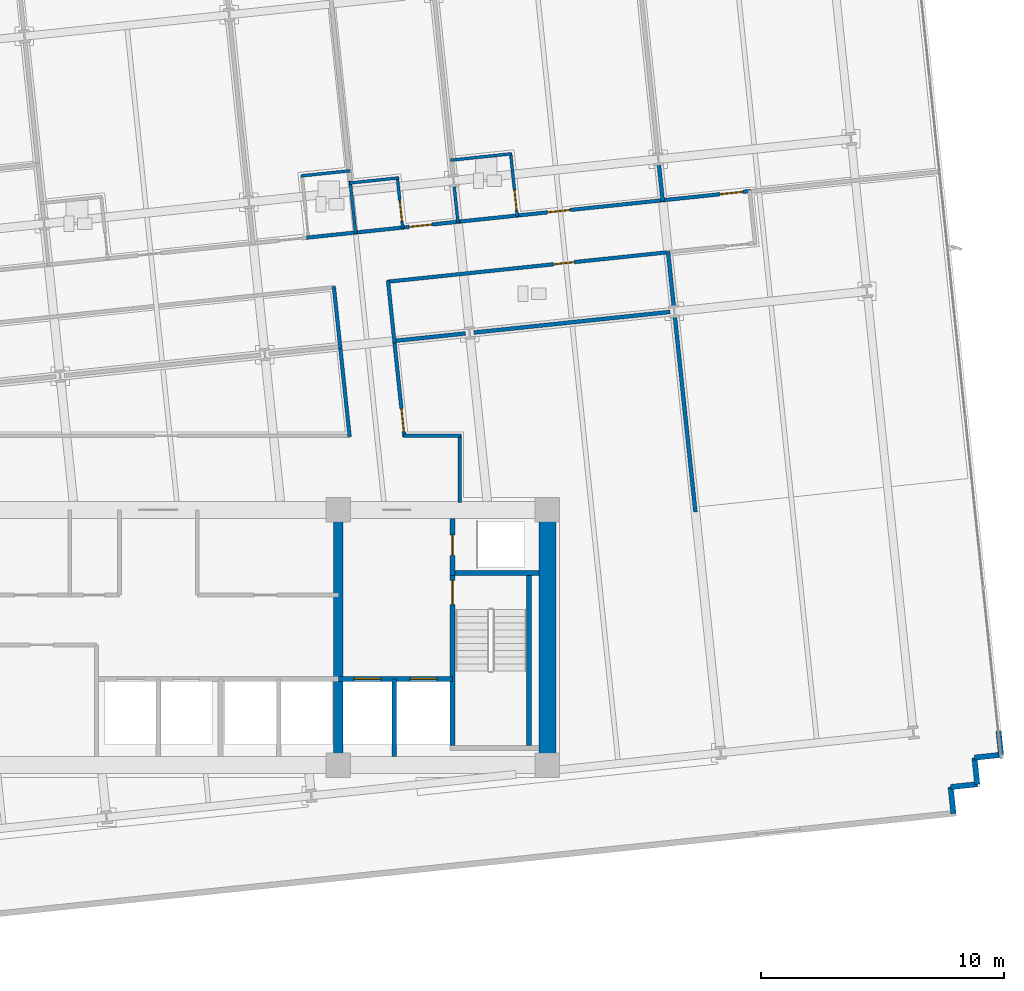
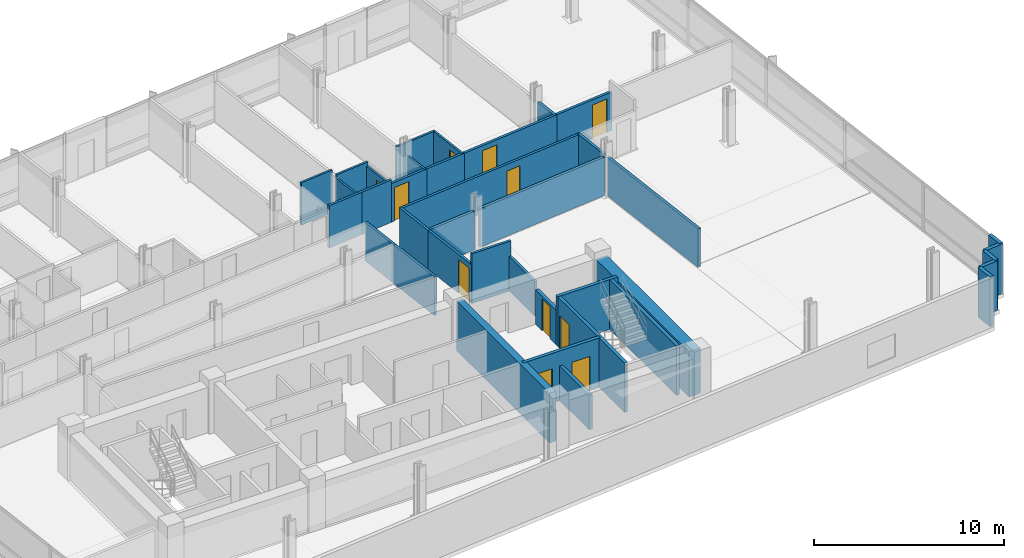
# One storey, part 12 of 17: 38 walls, 11 doors, 11 openings.
"""IFC4 building model written with IfcOpenShell, lengths in metres."""

from ifc_helpers import new_model, si_unit, direction, frame, frame_2d, origin, place, context, subcontext, project, spatial, rectangle, extrude, material, layer, layer_set, type_object, element, fill, save


model = new_model("IFC4")

# Units and contexts
model_context = context("Model", 3, precision=1e-05, world=origin(), true_north=direction((0.0, 1.0)))
body_context = subcontext(model_context, "Body", "Model", "MODEL_VIEW")
ifc_project = project(units=[si_unit("LENGTHUNIT", "METRE"), si_unit("AREAUNIT", "SQUARE_METRE"), si_unit("VOLUMEUNIT", "CUBIC_METRE"), si_unit("PLANEANGLEUNIT", "RADIAN"), si_unit("MASSUNIT", "GRAM", prefix="KILO")], contexts=[model_context])

# Site, building, storey
site_placement = place(None, origin())
site = spatial("IfcSite", under=ifc_project, at=site_placement, CompositionType="ELEMENT")
building_placement = place(site_placement, origin())
building = spatial("IfcBuilding", under=site, at=building_placement, Name="Solmavex Isthmus Hotel", CompositionType="ELEMENT")
storey_placement = place(building_placement, frame((0.0, 0.0, 116.699951171875)))
storey = spatial("IfcBuildingStorey", under=building, at=storey_placement, Name="L31", CompositionType="ELEMENT", Elevation=116.699951171875)

# Walls
ifc_material_1 = material(Name="Precast Concrete C40/50", Category="concrete")
ifc_layer_1 = layer(ifc_material_1, 0.25)
ifc_layer_set_1 = layer_set([ifc_layer_1], Name="Precast Concrete C40/50")
wall_type_1 = type_object("IfcWallType", Name="EW-TWR-250", PredefinedType="STANDARD", material=ifc_layer_set_1)
wall_1_placement = place(storey_placement, frame((34.553955078125, -11.59228515625, 0.0), z_axis=(0.0, 0.0, 1.0), x_axis=(0.104556418955, -0.99451895671, 0.0)))
element("IfcWall", 1, at=wall_1_placement, inside=storey, type_object=wall_type_1, Name="Serrated Corner Facade Panel L31-21", PredefinedType="STANDARD", context=body_context, shape_type="SweptSolid", body=[
    extrude(rectangle(XDim=0.989990234375, YDim=0.219970703125, at=frame_2d((0.4951171875, 0.0))), origin(), (0.0, 0.0, 1.0), 3.18994140625),
])
for number, where, z_axis, x_axis, name in (
    (2, (34.657470703125, -12.576904296875, 0.0), (0.0, 0.0, 1.0), (-0.994521251134, -0.104534592565, 0.0), "Serrated Corner Facade Panel L31-22"),
    (3, (33.5634765625, -12.69189453125, 0.0), (0.0, 0.0, 1.0), (0.104534592565, -0.994521251134, 0.0), "Serrated Corner Facade Panel L31-23"),
    (4, (33.678466796875, -13.785888671875, 0.0), (0.0, 0.0, 1.0), (-0.994521251134, -0.104534592565, 0.0), "Serrated Corner Facade Panel L31-24"),
    (5, (32.58447265625, -13.90087890625, 0.0), (0.0, 0.0, 1.0), (0.104534592565, -0.994521251134, 0.0), "Serrated Corner Facade Panel L31-25"),
):
    element("IfcWall", number, at=place(storey_placement, frame(where, z_axis=z_axis, x_axis=x_axis)), inside=storey, type_object=wall_type_1, Name=name, PredefinedType="STANDARD", context=body_context, shape_type="SweptSolid", body=[
        extrude(rectangle(XDim=1.10009765625, YDim=0.219970703125, at=frame_2d((0.550048828125, 0.0))), origin(), (0.0, 0.0, 1.0), 3.18994140625),
    ])
ifc_material_2 = material(Name="Gypsum plasterboard lining", Category="gypsum")
ifc_layer_2 = layer(ifc_material_2, 0.159912109375)
ifc_layer_set_2 = layer_set([ifc_layer_2], Name="Gypsum plasterboard lining")
wall_type_2 = type_object("IfcWallType", Name="IW-COMP-160", PredefinedType="PARTITIONING", material=ifc_layer_set_2)
wall_2_placement = place(storey_placement, frame((20.579833984375, 11.74658203125, 0.0), z_axis=(0.0, 0.0, 1.0), x_axis=(0.104578999325, -0.994516582516, 0.0)))
element("IfcWall", 6, at=wall_2_placement, inside=storey, type_object=wall_type_2, Name="Interior Partition Wall W-L31-P067", PredefinedType="PARTITIONING", context=body_context, shape_type="SweptSolid", body=[
    extrude(rectangle(XDim=1.561767578125, YDim=0.159912109375, at=frame_2d((0.78076171875, 0.0))), origin(), (0.0, 0.0, 1.0), 2.4794921875),
])
wall_3_placement = place(storey_placement, frame((20.95947265625, 8.134765625, 0.0), z_axis=(0.0, 0.0, 1.0), x_axis=(0.104558463094, -0.994518741802, 0.0)))
element("IfcWall", 7, at=wall_3_placement, inside=storey, type_object=wall_type_2, Name="Interior Partition Wall W-L31-P069", PredefinedType="PARTITIONING", context=body_context, shape_type="SweptSolid", body=[
    extrude(rectangle(XDim=2.31396484375, YDim=0.159912109375, at=frame_2d((1.156982421875, 0.0))), origin(), (0.0, 0.0, 1.0), 2.4794921875),
])
wall_4_placement = place(storey_placement, frame((12.625, 4.755126953125, 0.0), z_axis=(0.0, 0.0, 1.0), x_axis=(-0.994518476722, -0.1045609844, 0.0)))
element("IfcWall", 8, at=wall_4_placement, inside=storey, type_object=wall_type_2, Name="Interior Partition Wall W-L31-P070", PredefinedType="PARTITIONING", context=body_context, shape_type="SweptSolid", body=[
    extrude(rectangle(XDim=2.97705078125, YDim=0.159912109375, at=frame_2d((1.488525390625, 0.0))), origin(), (0.0, 0.0, 1.0), 2.4794921875),
])
wall_5_placement = place(storey_placement, frame((21.04443359375, 5.639892578125, 0.0), z_axis=(0.0, 0.0, 1.0), x_axis=(-0.994521269983, -0.104534413238, 0.0)))
element("IfcWall", 9, at=wall_5_placement, inside=storey, type_object=wall_type_2, Name="Interior Partition Wall W-L31-P071", PredefinedType="PARTITIONING", context=body_context, shape_type="SweptSolid", body=[
    extrude(rectangle(XDim=8.113525390625, YDim=0.159912109375, at=frame_2d((4.056640625, 0.0))), origin(), (0.0, 0.0, 1.0), 2.4794921875),
])
wall_6_placement = place(storey_placement, frame((22.086181640625, -2.586181640625, 0.0), z_axis=(0.0, 0.0, 1.0), x_axis=(-0.104531285071, 0.994521598781, 0.0)))
element("IfcWall", 10, at=wall_6_placement, inside=storey, type_object=wall_type_2, Name="Interior Partition Wall W-L31-P080", PredefinedType="PARTITIONING", context=body_context, shape_type="SweptSolid", body=[
    extrude(rectangle(XDim=8.11376953125, YDim=0.159912109375, at=frame_2d((4.056884765625, 0.0))), origin(), (0.0, 0.0, 1.0), 2.4794921875),
])
ifc_layer_3 = layer(ifc_material_2, 0.14990234375)
ifc_layer_set_3 = layer_set([ifc_layer_3], Name="Gypsum plasterboard lining")
wall_type_3 = type_object("IfcWallType", Name="IW-CORR-150", PredefinedType="PARTITIONING", material=ifc_layer_set_3)
wall_7_placement = place(storey_placement, frame((6.09130859375, 8.693603515625, 0.0), z_axis=(0.0, 0.0, 1.0), x_axis=(0.994520650134, 0.1045403102, 0.0)))
element("IfcWall", 11, at=wall_7_placement, inside=storey, type_object=wall_type_3, Name="Interior Partition Wall W-L31-P006", PredefinedType="PARTITIONING", context=body_context, shape_type="SweptSolid", body=[
    extrude(rectangle(XDim=2.111083984375, YDim=0.14990234375, at=frame_2d((1.0556640625, 0.0))), origin(), (0.0, 0.0, 1.0), 2.71826171875),
])

# Wall, opening, door
wall_8_placement = place(storey_placement, frame((9.96435546875, 9.100830078125, 0.0), z_axis=(0.0, 0.0, 1.0), x_axis=(0.994531631715, 0.104435786577, 0.0)))
wall_8 = element("IfcWall", 12, at=wall_8_placement, inside=storey, type_object=wall_type_3, Name="Interior Partition Wall W-L31-P007", PredefinedType="PARTITIONING", context=body_context, shape_type="SweptSolid", body=[
    extrude(rectangle(XDim=2.449951171875, YDim=0.14990234375, at=frame_2d((1.22509765625, 0.0))), origin(), (0.0, 0.0, 1.0), 2.4794921875),
])
opening_1_placement = place(wall_8_placement, frame((0.351806640625, 0.0, 0.0)))
opening_1 = element("IfcOpeningElement", 13, at=opening_1_placement, cuts=wall_8, Name="Opening ID-C095", PredefinedType="OPENING", context=body_context, shape_type="SweptSolid", body=[
    extrude(rectangle(XDim=0.949951171875, YDim=2.14990234375, at=frame_2d((0.47509765625, 1.074951171875))), frame((0.0, 0.0849609375, 0.0), z_axis=(0.0, -1.0, 0.0), x_axis=(1.0, 0.0, 0.0)), (0.0, 0.0, 1.0), 0.169921875),
])
ifc_material_3 = material(Name="Hardwood timber", Category="wood")
door_type_1 = type_object("IfcDoorType", Name="IDR-FD60-0950", OperationType="NOTDEFINED", PredefinedType="DOOR", material=ifc_material_3)
door_1_placement = place(opening_1_placement, frame((0.949951171875, 0.0, 0.0), z_axis=(0.0, 0.0, 1.0), x_axis=(-1.0, 0.0, 0.0)))
door_1 = element("IfcDoor", 14, at=door_1_placement, inside=storey, type_object=door_type_1, Name="Club Twin Room Door L31-13", OperationType="SINGLE_SWING_LEFT", OverallHeight=2.14990234375, OverallWidth=0.949951171875, PredefinedType="DOOR", context=body_context, shape_type="SweptSolid", body=[
    extrude(rectangle(XDim=0.949951171875, YDim=2.14990234375, at=frame_2d((0.47509765625, 1.074951171875))), frame((0.0, 0.02490234375, 0.0), z_axis=(0.0, -1.0, 0.0), x_axis=(1.0, 0.0, 0.0)), (0.0, 0.0, 1.0), 0.050048828125),
])
fill(opening_1, door_1)

# Wall
wall_9_placement = place(storey_placement, frame((8.02783203125, 8.897216796875, 0.0), z_axis=(0.0, 0.0, 1.0), x_axis=(0.994520650134, 0.1045403102, 0.0)))
element("IfcWall", 15, at=wall_9_placement, inside=storey, type_object=wall_type_3, Name="Interior Partition Wall W-L31-P008", PredefinedType="PARTITIONING", context=body_context, shape_type="SweptSolid", body=[
    extrude(rectangle(XDim=2.111083984375, YDim=0.14990234375, at=frame_2d((1.0556640625, 0.0))), origin(), (0.0, 0.0, 1.0), 2.71826171875),
])

# Wall, opening, door
wall_10_placement = place(storey_placement, frame((14.67431640625, 9.595703125, 0.0), z_axis=(0.0, 0.0, 1.0), x_axis=(0.994521891766, 0.104528497542, 0.0)))
wall_10 = element("IfcWall", 16, at=wall_10_placement, inside=storey, type_object=wall_type_3, Name="Interior Partition Wall W-L31-P009", PredefinedType="PARTITIONING", context=body_context, shape_type="SweptSolid", body=[
    extrude(rectangle(XDim=6.18017578125, YDim=0.14990234375, at=frame_2d((3.090087890625, 0.0))), origin(), (0.0, 0.0, 1.0), 2.4794921875),
])
opening_2_placement = place(wall_10_placement, frame((1.333984375, 0.0, 0.0)))
opening_2 = element("IfcOpeningElement", 17, at=opening_2_placement, cuts=wall_10, Name="Opening ID-C095", PredefinedType="OPENING", context=body_context, shape_type="SweptSolid", body=[
    extrude(rectangle(XDim=0.949951171875, YDim=2.14990234375, at=frame_2d((0.47509765625, 1.074951171875))), frame((0.0, 0.0849609375, 0.0), z_axis=(0.0, -1.0, 0.0), x_axis=(1.0, 0.0, 0.0)), (0.0, 0.0, 1.0), 0.169921875),
])
door_2_placement = place(opening_2_placement, frame((0.949951171875, 0.0, 0.0), z_axis=(0.0, 0.0, 1.0), x_axis=(-1.0, 0.0, 0.0)))
door_2 = element("IfcDoor", 18, at=door_2_placement, inside=storey, type_object=door_type_1, Name="Premier Suite Door L31-15", OperationType="SINGLE_SWING_LEFT", OverallHeight=2.14990234375, OverallWidth=0.949951171875, PredefinedType="DOOR", context=body_context, shape_type="SweptSolid", body=[
    extrude(rectangle(XDim=0.949951171875, YDim=2.14990234375, at=frame_2d((0.47509765625, 1.074951171875))), frame((0.0, 0.02490234375, 0.0), z_axis=(0.0, -1.0, 0.0), x_axis=(1.0, 0.0, 0.0)), (0.0, 0.0, 1.0), 0.050048828125),
])
fill(opening_2, door_2)

# Wall
wall_11_placement = place(storey_placement, frame((12.23779296875, 9.339599609375, 0.0), z_axis=(0.0, 0.0, 1.0), x_axis=(0.994523350694, 0.104514615837, 0.0)))
element("IfcWall", 19, at=wall_11_placement, inside=storey, type_object=wall_type_3, Name="Interior Partition Wall W-L31-P010", PredefinedType="PARTITIONING", context=body_context, shape_type="SweptSolid", body=[
    extrude(rectangle(XDim=2.614013671875, YDim=0.14990234375, at=frame_2d((1.30712890625, 0.0))), origin(), (0.0, 0.0, 1.0), 2.4794921875),
])

# Wall, opening, door
wall_12_placement = place(storey_placement, frame((20.657470703125, 10.224609375, 0.0), z_axis=(0.0, 0.0, 1.0), x_axis=(0.994518385036, 0.104561856457, 0.0)))
wall_12 = element("IfcWall", 20, at=wall_12_placement, inside=storey, type_object=wall_type_3, Name="Interior Partition Wall W-L31-P011", PredefinedType="PARTITIONING", context=body_context, shape_type="SweptSolid", body=[
    extrude(rectangle(XDim=3.721923828125, YDim=0.14990234375, at=frame_2d((1.86083984375, 0.0))), origin(), (0.0, 0.0, 1.0), 2.4794921875),
])
opening_3_placement = place(wall_12_placement, frame((2.456787109375, 0.0, 0.0)))
opening_3 = element("IfcOpeningElement", 21, at=opening_3_placement, cuts=wall_12, Name="Opening ID-C095", PredefinedType="OPENING", context=body_context, shape_type="SweptSolid", body=[
    extrude(rectangle(XDim=0.949951171875, YDim=2.14990234375, at=frame_2d((0.47509765625, 1.074951171875))), frame((0.0, 0.0849609375, 0.0), z_axis=(0.0, -1.0, 0.0), x_axis=(1.0, 0.0, 0.0)), (0.0, 0.0, 1.0), 0.169921875),
])
door_3_placement = place(opening_3_placement, frame((0.949951171875, 0.0, 0.0), z_axis=(0.0, 0.0, 1.0), x_axis=(-1.0, 0.0, 0.0)))
door_3 = element("IfcDoor", 22, at=door_3_placement, inside=storey, type_object=door_type_1, Name="Executive Hospitality Lounge Door L31-17", OperationType="SINGLE_SWING_LEFT", OverallHeight=2.14990234375, OverallWidth=0.949951171875, PredefinedType="DOOR", context=body_context, shape_type="SweptSolid", body=[
    extrude(rectangle(XDim=0.949951171875, YDim=2.14990234375, at=frame_2d((0.47509765625, 1.074951171875))), frame((0.0, 0.02490234375, 0.0), z_axis=(0.0, -1.0, 0.0), x_axis=(1.0, 0.0, 0.0)), (0.0, 0.0, 1.0), 0.050048828125),
])
fill(opening_3, door_3)

wall_13_placement = place(storey_placement, frame((21.045166015625, 8.103515625, 0.0), z_axis=(0.0, 0.0, 1.0), x_axis=(-0.994521447183, -0.104532727376, 0.0)))
wall_13 = element("IfcWall", 23, at=wall_13_placement, inside=storey, type_object=wall_type_3, Name="Interior Partition Wall W-L31-P012", PredefinedType="PARTITIONING", context=body_context, shape_type="SweptSolid", body=[
    extrude(rectangle(XDim=11.701171875, YDim=0.14990234375, at=frame_2d((5.8505859375, 0.0))), origin(), (0.0, 0.0, 1.0), 2.4794921875),
])
opening_4_placement = place(wall_13_placement, frame((3.961181640625, 0.0, 0.0)))
opening_4 = element("IfcOpeningElement", 24, at=opening_4_placement, cuts=wall_13, Name="Opening ID-R085", PredefinedType="OPENING", context=body_context, shape_type="SweptSolid", body=[
    extrude(rectangle(XDim=0.85009765625, YDim=2.050048828125, at=frame_2d((0.425048828125, 1.02490234375))), frame((0.0, 0.0849609375, 0.0), z_axis=(0.0, -1.0, 0.0), x_axis=(1.0, 0.0, 0.0)), (0.0, 0.0, 1.0), 0.169921875),
])
ifc_material_4 = material(Name="Steel ASTM A500 Grade C", Category="steel")
door_type_2 = type_object("IfcDoorType", Name="IDR-FD60-0850", OperationType="NOTDEFINED", PredefinedType="DOOR", material=ifc_material_4)
door_4_placement = place(opening_4_placement, frame((0.85009765625, 0.0, 0.0), z_axis=(0.0, 0.0, 1.0), x_axis=(-1.0, 0.0, 0.0)))
door_4 = element("IfcDoor", 25, at=door_4_placement, inside=storey, type_object=door_type_2, Name="Public Restroom WC Door L31-18", OperationType="SINGLE_SWING_RIGHT", OverallHeight=2.050048828125, OverallWidth=0.85009765625, PredefinedType="DOOR", context=body_context, shape_type="SweptSolid", body=[
    extrude(rectangle(XDim=0.85009765625, YDim=2.050048828125, at=frame_2d((0.425048828125, 1.02490234375))), frame((0.0, 0.02490234375, 0.0), z_axis=(0.0, -1.0, 0.0), x_axis=(1.0, 0.0, 0.0)), (0.0, 0.0, 1.0), 0.050048828125),
])
fill(opening_4, door_4)

# Walls
for number, where, z_axis, x_axis, name in (
    (26, (9.44384765625, 6.92431640625, 0.0), (0.0, 0.0, 1.0), (0.104511838358, -0.994523642576, 0.0), "Interior Partition Wall W-L31-P013"),
    (27, (7.485107421875, 4.13232421875, 0.0), (0.0, 0.0, 1.0), (-0.104605724594, 0.994513771841, 0.0), "Interior Partition Wall W-L31-P016"),
):
    element("IfcWall", number, at=place(storey_placement, frame(where, z_axis=z_axis, x_axis=x_axis)), inside=storey, type_object=wall_type_3, Name=name, PredefinedType="PARTITIONING", context=body_context, shape_type="SweptSolid", body=[
        extrude(rectangle(XDim=2.572021484375, YDim=0.14990234375, at=frame_2d((1.2861328125, 0.0))), origin(), (0.0, 0.0, 1.0), 2.4794921875),
    ])
wall_14_placement = place(storey_placement, frame((7.86572265625, 0.51025390625, 0.0), z_axis=(0.0, 0.0, 1.0), x_axis=(-0.104557897706, 0.994518801244, 0.0)))
element("IfcWall", 28, at=wall_14_placement, inside=storey, type_object=wall_type_3, Name="Interior Partition Wall W-L31-P019", PredefinedType="PARTITIONING", context=body_context, shape_type="SweptSolid", body=[
    extrude(rectangle(XDim=3.805908203125, YDim=0.14990234375, at=frame_2d((1.90283203125, 0.0))), origin(), (0.0, 0.0, 1.0), 2.4794921875),
])

# Wall, opening, door
wall_15_placement = place(storey_placement, frame((9.695556640625, 4.529541015625, 0.0), z_axis=(0.0, 0.0, 1.0), x_axis=(0.104568433906, -0.994517693473, 0.0)))
wall_15 = element("IfcWall", 29, at=wall_15_placement, inside=storey, type_object=wall_type_3, Name="Interior Partition Wall W-L31-P023", PredefinedType="PARTITIONING", context=body_context, shape_type="SweptSolid", body=[
    extrude(rectangle(XDim=4.04150390625, YDim=0.14990234375, at=frame_2d((2.020751953125, 0.0))), origin(), (0.0, 0.0, 1.0), 2.4794921875),
])
opening_5_placement = place(wall_15_placement, frame((2.876708984375, 0.0, 0.0)))
opening_5 = element("IfcOpeningElement", 30, at=opening_5_placement, cuts=wall_15, Name="Opening ID-C095", PredefinedType="OPENING", context=body_context, shape_type="SweptSolid", body=[
    extrude(rectangle(XDim=0.949951171875, YDim=2.14990234375, at=frame_2d((0.47509765625, 1.074951171875))), frame((0.0, 0.0849609375, 0.0), z_axis=(0.0, -1.0, 0.0), x_axis=(1.0, 0.0, 0.0)), (0.0, 0.0, 1.0), 0.169921875),
])
door_5_placement = place(opening_5_placement, frame((0.949951171875, 0.0, 0.0), z_axis=(0.0, 0.0, 1.0), x_axis=(-1.0, 0.0, 0.0)))
door_5 = element("IfcDoor", 31, at=door_5_placement, inside=storey, type_object=door_type_1, Name="Seminar Meeting Room Door L31-25", OperationType="SINGLE_SWING_LEFT", OverallHeight=2.14990234375, OverallWidth=0.949951171875, PredefinedType="DOOR", context=body_context, shape_type="SweptSolid", body=[
    extrude(rectangle(XDim=0.949951171875, YDim=2.14990234375, at=frame_2d((0.47509765625, 1.074951171875))), frame((0.0, 0.02490234375, 0.0), z_axis=(0.0, -1.0, 0.0), x_axis=(1.0, 0.0, 0.0)), (0.0, 0.0, 1.0), 0.050048828125),
])
fill(opening_5, door_5)

# Walls
wall_16_placement = place(storey_placement, frame((10.073974609375, 0.550048828125, 0.0), z_axis=(0.0, 0.0, 1.0), x_axis=(1.0, 0.0, 0.0)))
element("IfcWall", 32, at=wall_16_placement, inside=storey, type_object=wall_type_3, Name="Interior Partition Wall W-L31-P024", PredefinedType="PARTITIONING", context=body_context, shape_type="SweptSolid", body=[
    extrude(rectangle(XDim=2.365966796875, YDim=0.14990234375, at=frame_2d((1.18310546875, 0.0))), origin(), (0.0, 0.0, 1.0), 3.18994140625),
])
wall_17_placement = place(storey_placement, frame((12.39990234375, 0.590087890625, 0.0), z_axis=(0.0, 0.0, 1.0), x_axis=(0.0, -1.0, 0.0)))
element("IfcWall", 33, at=wall_17_placement, inside=storey, type_object=wall_type_3, Name="Interior Partition Wall W-L31-P025", PredefinedType="PARTITIONING", context=body_context, shape_type="SweptSolid", body=[
    extrude(rectangle(XDim=2.780029296875, YDim=0.14990234375, at=frame_2d((1.39013671875, 0.0))), origin(), (0.0, 0.0, 1.0), 2.22509765625),
])
ifc_layer_4 = layer(ifc_material_2, 0.1201171875)
ifc_layer_set_4 = layer_set([ifc_layer_4], Name="Gypsum plasterboard lining")
wall_type_4 = type_object("IfcWallType", Name="IW-PART-120", PredefinedType="PARTITIONING", material=ifc_layer_set_4)
wall_18_placement = place(storey_placement, frame((7.8828125, 11.446044921875, 0.0), z_axis=(0.0, 0.0, 1.0), x_axis=(-0.994521279075, -0.104534326742, 0.0)))
element("IfcWall", 34, at=wall_18_placement, inside=storey, type_object=wall_type_4, Name="Interior Partition Wall W-L31-P054", PredefinedType="PARTITIONING", context=body_context, shape_type="SweptSolid", body=[
    extrude(rectangle(XDim=2.027099609375, YDim=0.1201171875, at=frame_2d((1.013671875, 0.0))), origin(), (0.0, 0.0, 1.0), 2.71826171875),
])
wall_19_placement = place(storey_placement, frame((7.88671875, 11.026123046875, 0.0), z_axis=(0.0, 0.0, 1.0), x_axis=(0.104532657405, -0.994521454538, 0.0)))
element("IfcWall", 35, at=wall_19_placement, inside=storey, type_object=wall_type_4, Name="Interior Partition Wall W-L31-P057", PredefinedType="PARTITIONING", context=body_context, shape_type="SweptSolid", body=[
    extrude(rectangle(XDim=2.172119140625, YDim=0.1201171875, at=frame_2d((1.0859375, 0.0))), origin(), (0.0, 0.0, 1.0), 2.4794921875),
])

# Wall, opening, door
wall_20_placement = place(storey_placement, frame((10.050048828125, 9.069580078125, 0.0), z_axis=(0.0, 0.0, 1.0), x_axis=(-0.104428197609, 0.994532428604, 0.0)))
wall_20 = element("IfcWall", 36, at=wall_20_placement, inside=storey, type_object=wall_type_4, Name="Interior Partition Wall W-L31-P058", PredefinedType="PARTITIONING", context=body_context, shape_type="SweptSolid", body=[
    extrude(rectangle(XDim=2.1298828125, YDim=0.1201171875, at=frame_2d((1.06494140625, 0.0))), origin(), (0.0, 0.0, 1.0), 2.4794921875),
])
opening_6_placement = place(wall_20_placement, frame((0.295654296875, 0.0, 0.0)))
opening_6 = element("IfcOpeningElement", 37, at=opening_6_placement, cuts=wall_20, Name="Opening ID-U085", PredefinedType="OPENING", context=body_context, shape_type="SweptSolid", body=[
    extrude(rectangle(XDim=0.85009765625, YDim=2.10009765625, at=frame_2d((0.425048828125, 1.050048828125))), frame((0.0, 0.070068359375, 0.0), z_axis=(0.0, -1.0, 0.0), x_axis=(1.0, 0.0, 0.0)), (0.0, 0.0, 1.0), 0.14013671875),
])
door_type_3 = type_object("IfcDoorType", Name="IDR-UNR-0850", OperationType="NOTDEFINED", PredefinedType="DOOR", material=ifc_material_3)
door_6_placement = place(opening_6_placement, origin())
door_6 = element("IfcDoor", 38, at=door_6_placement, inside=storey, type_object=door_type_3, Name="En-suite Bathroom Door L31-14", OperationType="SINGLE_SWING_RIGHT", OverallHeight=2.10009765625, OverallWidth=0.85009765625, PredefinedType="DOOR", context=body_context, shape_type="SweptSolid", body=[
    extrude(rectangle(XDim=0.85009765625, YDim=2.10009765625, at=frame_2d((0.425048828125, 1.050048828125))), frame((0.0, 0.02490234375, 0.0), z_axis=(0.0, -1.0, 0.0), x_axis=(1.0, 0.0, 0.0)), (0.0, 0.0, 1.0), 0.050048828125),
])
fill(opening_6, door_6)

# Walls
wall_21_placement = place(storey_placement, frame((9.87158203125, 11.15234375, 0.0), z_axis=(0.0, 0.0, 1.0), x_axis=(-0.994521279075, -0.104534326742, 0.0)))
element("IfcWall", 39, at=wall_21_placement, inside=storey, type_object=wall_type_4, Name="Interior Partition Wall W-L31-P059", PredefinedType="PARTITIONING", context=body_context, shape_type="SweptSolid", body=[
    extrude(rectangle(XDim=2.027099609375, YDim=0.1201171875, at=frame_2d((1.013671875, 0.0))), origin(), (0.0, 0.0, 1.0), 2.71826171875),
])
wall_22_placement = place(storey_placement, frame((12.16015625, 10.86181640625, 0.0), z_axis=(0.0, 0.0, 1.0), x_axis=(0.104562743548, -0.994518291768, 0.0)))
element("IfcWall", 40, at=wall_22_placement, inside=storey, type_object=wall_type_4, Name="Interior Partition Wall W-L31-P062", PredefinedType="PARTITIONING", context=body_context, shape_type="SweptSolid", body=[
    extrude(rectangle(XDim=1.56201171875, YDim=0.1201171875, at=frame_2d((0.781005859375, 0.0))), origin(), (0.0, 0.0, 1.0), 2.4794921875),
])

# Wall, opening, door
wall_23_placement = place(storey_placement, frame((14.760009765625, 9.564453125, 0.0), z_axis=(0.0, 0.0, 1.0), x_axis=(-0.104520496269, 0.994522732701, 0.0)))
wall_23 = element("IfcWall", 41, at=wall_23_placement, inside=storey, type_object=wall_type_4, Name="Interior Partition Wall W-L31-P063", PredefinedType="PARTITIONING", context=body_context, shape_type="SweptSolid", body=[
    extrude(rectangle(XDim=2.630126953125, YDim=0.1201171875, at=frame_2d((1.31494140625, 0.0))), origin(), (0.0, 0.0, 1.0), 2.4794921875),
])
opening_7_placement = place(wall_23_placement, frame((0.247314453125, 0.0, 0.0)))
opening_7 = element("IfcOpeningElement", 42, at=opening_7_placement, cuts=wall_23, Name="Opening ID-U085", PredefinedType="OPENING", context=body_context, shape_type="SweptSolid", body=[
    extrude(rectangle(XDim=0.85009765625, YDim=2.10009765625, at=frame_2d((0.425048828125, 1.050048828125))), frame((0.0, 0.070068359375, 0.0), z_axis=(0.0, -1.0, 0.0), x_axis=(1.0, 0.0, 0.0)), (0.0, 0.0, 1.0), 0.14013671875),
])
door_7_placement = place(opening_7_placement, frame((0.85009765625, 0.0, 0.0), z_axis=(0.0, 0.0, 1.0), x_axis=(-1.0, 0.0, 0.0)))
door_7 = element("IfcDoor", 43, at=door_7_placement, inside=storey, type_object=door_type_3, Name="En-suite Bathroom Door L31-16", OperationType="SINGLE_SWING_RIGHT", OverallHeight=2.10009765625, OverallWidth=0.85009765625, PredefinedType="DOOR", context=body_context, shape_type="SweptSolid", body=[
    extrude(rectangle(XDim=0.85009765625, YDim=2.10009765625, at=frame_2d((0.425048828125, 1.050048828125))), frame((0.0, 0.02490234375, 0.0), z_axis=(0.0, -1.0, 0.0), x_axis=(1.0, 0.0, 0.0)), (0.0, 0.0, 1.0), 0.050048828125),
])
fill(opening_7, door_7)

# Wall
wall_24_placement = place(storey_placement, frame((14.529052734375, 12.14453125, 0.0), z_axis=(0.0, 0.0, 1.0), x_axis=(-0.994523944136, -0.104508968707, 0.0)))
element("IfcWall", 44, at=wall_24_placement, inside=storey, type_object=wall_type_4, Name="Interior Partition Wall W-L31-P064", PredefinedType="PARTITIONING", context=body_context, shape_type="SweptSolid", body=[
    extrude(rectangle(XDim=2.530029296875, YDim=0.1201171875, at=frame_2d((1.26513671875, 0.0))), origin(), (0.0, 0.0, 1.0), 2.4794921875),
])

# Wall, opening, door
ifc_material_5 = material(Name="Concrete C40/50", Category="concrete")
ifc_layer_5 = layer(ifc_material_5, 0.199951171875)
ifc_layer_set_5 = layer_set([ifc_layer_5], Name="Concrete C40/50")
wall_type_5 = type_object("IfcWallType", Name="IW-SHAFT-200", PredefinedType="PARTITIONING", material=ifc_layer_set_5)
wall_25_placement = place(storey_placement, frame((12.10009765625, -5.199951171875, 0.0), z_axis=(0.0, 0.0, 1.0), x_axis=(0.0, 1.0, 0.0)))
wall_25 = element("IfcWall", 45, at=wall_25_placement, inside=storey, type_object=wall_type_5, Name="Interior Partition Wall W-L31-RSE-W", PredefinedType="PARTITIONING", context=body_context, shape_type="SweptSolid", body=[
    extrude(rectangle(XDim=2.349853515625, YDim=0.199951171875, at=frame_2d((1.1748046875, 0.0))), origin(), (0.0, 0.0, 1.0), 2.22509765625),
])
opening_8_placement = place(wall_25_placement, frame((0.824951171875, 0.0, 0.0)))
opening_8 = element("IfcOpeningElement", 46, at=opening_8_placement, cuts=wall_25, Name="Opening ID-R085", PredefinedType="OPENING", context=body_context, shape_type="SweptSolid", body=[
    extrude(rectangle(XDim=0.85009765625, YDim=2.050048828125, at=frame_2d((0.425048828125, 1.02490234375))), frame((0.0, 0.10986328125, 0.0), z_axis=(0.0, -1.0, 0.0), x_axis=(1.0, 0.0, 0.0)), (0.0, 0.0, 1.0), 0.219970703125),
])
door_8_placement = place(opening_8_placement, frame((0.85009765625, 0.0, 0.0), z_axis=(0.0, 0.0, 1.0), x_axis=(-1.0, 0.0, 0.0)))
door_8 = element("IfcDoor", 47, at=door_8_placement, inside=storey, type_object=door_type_2, Name="Mechanical Riser Door L31", OperationType="SINGLE_SWING_LEFT", OverallHeight=2.050048828125, OverallWidth=0.85009765625, PredefinedType="DOOR", context=body_context, shape_type="SweptSolid", body=[
    extrude(rectangle(XDim=0.85009765625, YDim=2.050048828125, at=frame_2d((0.425048828125, 1.02490234375))), frame((0.0, 0.02490234375, 0.0), z_axis=(0.0, -1.0, 0.0), x_axis=(1.0, 0.0, 0.0)), (0.0, 0.0, 1.0), 0.050048828125),
])
fill(opening_8, door_8)

# Wall, openings, doors
wall_26_placement = place(storey_placement, frame((7.39990234375, -9.449951171875, 0.0), z_axis=(0.0, 0.0, 1.0), x_axis=(1.0, 0.0, 0.0)))
wall_26 = element("IfcWall", 48, at=wall_26_placement, inside=storey, type_object=wall_type_5, Name="Interior Partition Wall W-L31-FFLE-S", PredefinedType="PARTITIONING", context=body_context, shape_type="SweptSolid", body=[
    extrude(rectangle(XDim=4.7001953125, YDim=0.199951171875, at=frame_2d((2.35009765625, 0.0))), origin(), (0.0, 0.0, 1.0), 3.18994140625),
])
opening_9_placement = place(wall_26_placement, frame((2.949951171875, 0.0, 0.0)))
opening_9 = element("IfcOpeningElement", 49, at=opening_9_placement, cuts=wall_26, Name="Opening LD-FF", PredefinedType="OPENING", context=body_context, shape_type="SweptSolid", body=[
    extrude(rectangle(XDim=1.10009765625, YDim=2.199951171875, at=frame_2d((0.550048828125, 1.10009765625))), frame((0.0, 0.10986328125, 0.0), z_axis=(0.0, -1.0, 0.0), x_axis=(1.0, 0.0, 0.0)), (0.0, 0.0, 1.0), 0.219970703125),
])
opening_10_placement = place(wall_26_placement, frame((0.64990234375, 0.0, 0.0)))
opening_10 = element("IfcOpeningElement", 50, at=opening_10_placement, cuts=wall_26, Name="Opening LD-SV", PredefinedType="OPENING", context=body_context, shape_type="SweptSolid", body=[
    extrude(rectangle(XDim=1.10009765625, YDim=2.199951171875, at=frame_2d((0.550048828125, 1.10009765625))), frame((0.0, 0.10986328125, 0.0), z_axis=(0.0, -1.0, 0.0), x_axis=(1.0, 0.0, 0.0)), (0.0, 0.0, 1.0), 0.219970703125),
])
ifc_material_6 = material(Name="Stainless steel 316", Category="steel")
door_type_4 = type_object("IfcDoorType", Name="LDR-FF-1100", OperationType="NOTDEFINED", PredefinedType="DOOR", material=ifc_material_6)
door_9_placement = place(opening_9_placement, origin())
door_9 = element("IfcDoor", 51, at=door_9_placement, inside=storey, type_object=door_type_4, Name="Lift Landing Door FFL-2 L31", OperationType="SLIDING_TO_LEFT", OverallHeight=2.199951171875, OverallWidth=1.10009765625, PredefinedType="DOOR", context=body_context, shape_type="SweptSolid", body=[
    extrude(rectangle(XDim=1.10009765625, YDim=2.199951171875, at=frame_2d((0.550048828125, 1.10009765625))), frame((0.0, 0.02490234375, 0.0), z_axis=(0.0, -1.0, 0.0), x_axis=(1.0, 0.0, 0.0)), (0.0, 0.0, 1.0), 0.050048828125),
])
fill(opening_9, door_9)
door_type_5 = type_object("IfcDoorType", Name="LDR-SV-1100", OperationType="NOTDEFINED", PredefinedType="DOOR", material=ifc_material_6)
door_10_placement = place(opening_10_placement, origin())
door_10 = element("IfcDoor", 52, at=door_10_placement, inside=storey, type_object=door_type_5, Name="Lift Landing Door SVL-2 L31", OperationType="SLIDING_TO_RIGHT", OverallHeight=2.199951171875, OverallWidth=1.10009765625, PredefinedType="DOOR", context=body_context, shape_type="SweptSolid", body=[
    extrude(rectangle(XDim=1.10009765625, YDim=2.199951171875, at=frame_2d((0.550048828125, 1.10009765625))), frame((0.0, 0.02490234375, 0.0), z_axis=(0.0, -1.0, 0.0), x_axis=(1.0, 0.0, 0.0)), (0.0, 0.0, 1.0), 0.050048828125),
])
fill(opening_10, door_10)

# Walls
wall_27_placement = place(storey_placement, frame((9.699951171875, -12.64990234375, 0.0), z_axis=(0.0, 0.0, 1.0), x_axis=(0.0, 1.0, 0.0)))
element("IfcWall", 53, at=wall_27_placement, inside=storey, type_object=wall_type_5, Name="Interior Partition Wall W-L31-FFLE-M", PredefinedType="PARTITIONING", context=body_context, shape_type="SweptSolid", body=[
    extrude(rectangle(XDim=3.199951171875, YDim=0.199951171875, at=frame_2d((1.60009765625, 0.0))), origin(), (0.0, 0.0, 1.0), 2.22509765625),
])
ifc_material_7 = material(Name="Concrete C60/75", Category="concrete")
ifc_layer_6 = layer(ifc_material_7, 0.39990234375)
ifc_layer_set_6 = layer_set([ifc_layer_6], Name="Concrete C60/75")
wall_type_6 = type_object("IfcWallType", Name="WALL-CW-400M", PredefinedType="SHEAR", material=ifc_layer_set_6)
wall_28_placement = place(storey_placement, frame((7.39990234375, -12.64990234375, 0.0), z_axis=(0.0, 0.0, 1.0), x_axis=(0.0, 1.0, 0.0)))
element("IfcWall", 54, at=wall_28_placement, inside=storey, type_object=wall_type_6, Name="Core Cross Shear Wall C2 L31", PredefinedType="SHEAR", context=body_context, shape_type="SweptSolid", body=[
    extrude(rectangle(XDim=9.7998046875, YDim=0.39990234375, at=frame_2d((4.89990234375, 0.0))), origin(), (0.0, 0.0, 1.0), 3.18994140625),
])
ifc_layer_7 = layer(ifc_material_7, 0.699951171875)
ifc_layer_set_7 = layer_set([ifc_layer_7], Name="Concrete C60/75")
wall_type_7 = type_object("IfcWallType", Name="WALL-CW-700", PredefinedType="SHEAR", material=ifc_layer_set_7)
wall_29_placement = place(storey_placement, frame((16.0, -12.64990234375, 0.0), z_axis=(0.0, 0.0, 1.0), x_axis=(0.0, 1.0, 0.0)))
element("IfcWall", 55, at=wall_29_placement, inside=storey, type_object=wall_type_7, Name="Core Shear Wall East L31", PredefinedType="SHEAR", context=body_context, shape_type="SweptSolid", body=[
    extrude(rectangle(XDim=9.7998046875, YDim=0.699951171875, at=frame_2d((4.89990234375, 0.0))), origin(), (0.0, 0.0, 1.0), 2.91015625),
])
ifc_layer_8 = layer(ifc_material_5, 0.199951171875)
ifc_layer_set_8 = layer_set([ifc_layer_8], Name="Concrete C40/50")
wall_type_8 = type_object("IfcWallType", Name="WALL-SW-200", PredefinedType="SOLIDWALL", material=ifc_layer_set_8)
wall_30_placement = place(storey_placement, frame((12.0, -5.10009765625, 0.0), z_axis=(0.0, 0.0, 1.0), x_axis=(1.0, 0.0, 0.0)))
element("IfcWall", 56, at=wall_30_placement, inside=storey, type_object=wall_type_8, Name="Stairwell Structural Wall SW-L31-ST2-N", PredefinedType="SOLIDWALL", context=body_context, shape_type="SweptSolid", body=[
    extrude(rectangle(XDim=3.64990234375, YDim=0.199951171875, at=frame_2d((1.824951171875, 0.0))), origin(), (0.0, 0.0, 1.0), 3.18994140625),
])

# Wall, opening, door
wall_31_placement = place(storey_placement, frame((12.10009765625, -12.199951171875, 0.0), z_axis=(0.0, 0.0, 1.0), x_axis=(0.0, 1.0, 0.0)))
wall_31 = element("IfcWall", 57, at=wall_31_placement, inside=storey, type_object=wall_type_8, Name="Stairwell Structural Wall SW-L31-ST2-W", PredefinedType="SOLIDWALL", context=body_context, shape_type="SweptSolid", body=[
    extrude(rectangle(XDim=7.0, YDim=0.199951171875, at=frame_2d((3.5, 0.0))), origin(), (0.0, 0.0, 1.0), 3.18994140625),
])
opening_11_placement = place(wall_31_placement, frame((5.800048828125, 0.0, 0.0)))
opening_11 = element("IfcOpeningElement", 58, at=opening_11_placement, cuts=wall_31, Name="Opening ID-F100", PredefinedType="OPENING", context=body_context, shape_type="SweptSolid", body=[
    extrude(rectangle(XDim=1.0, YDim=2.10009765625, at=frame_2d((0.5, 1.050048828125))), frame((0.0, 0.10986328125, 0.0), z_axis=(0.0, -1.0, 0.0), x_axis=(1.0, 0.0, 0.0)), (0.0, 0.0, 1.0), 0.219970703125),
])
door_type_6 = type_object("IfcDoorType", Name="IDR-FD90-1000", OperationType="NOTDEFINED", PredefinedType="DOOR", material=ifc_material_4)
door_11_placement = place(opening_11_placement, origin())
door_11 = element("IfcDoor", 59, at=door_11_placement, inside=storey, type_object=door_type_6, Name="Stair ST-2 Fire Door L31", OperationType="SINGLE_SWING_RIGHT", OverallHeight=2.10009765625, OverallWidth=1.0, PredefinedType="DOOR", context=body_context, shape_type="SweptSolid", body=[
    extrude(rectangle(XDim=1.0, YDim=2.10009765625, at=frame_2d((0.5, 1.050048828125))), frame((0.0, 0.02490234375, 0.0), z_axis=(0.0, -1.0, 0.0), x_axis=(1.0, 0.0, 0.0)), (0.0, 0.0, 1.0), 0.050048828125),
])
fill(opening_11, door_11)

# Wall
wall_32_placement = place(storey_placement, frame((15.25, -12.199951171875, 0.0), z_axis=(0.0, 0.0, 1.0), x_axis=(0.0, 1.0, 0.0)))
element("IfcWall", 60, at=wall_32_placement, inside=storey, type_object=wall_type_8, Name="Stairwell Structural Wall SW-L31-ST2-E", PredefinedType="SOLIDWALL", context=body_context, shape_type="SweptSolid", body=[
    extrude(rectangle(XDim=7.0, YDim=0.199951171875, at=frame_2d((3.5, 0.0))), origin(), (0.0, 0.0, 1.0), 3.18994140625),
])

save(model, "model.ifc")
